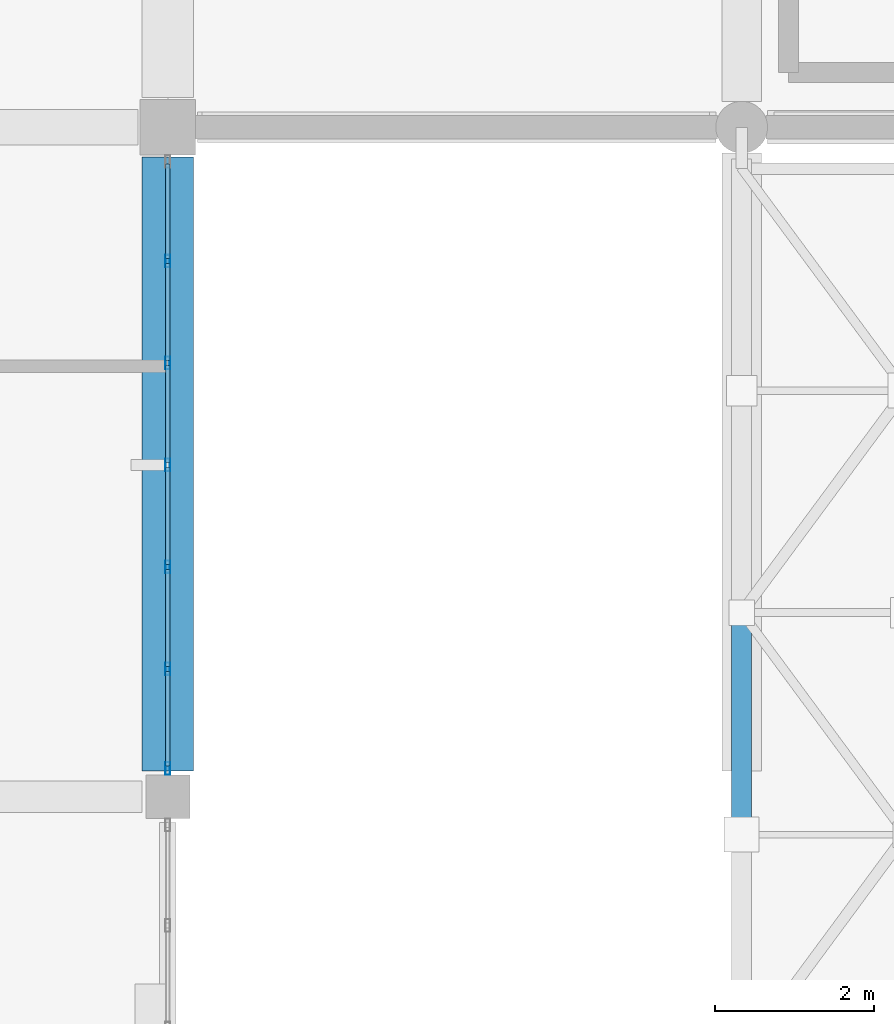
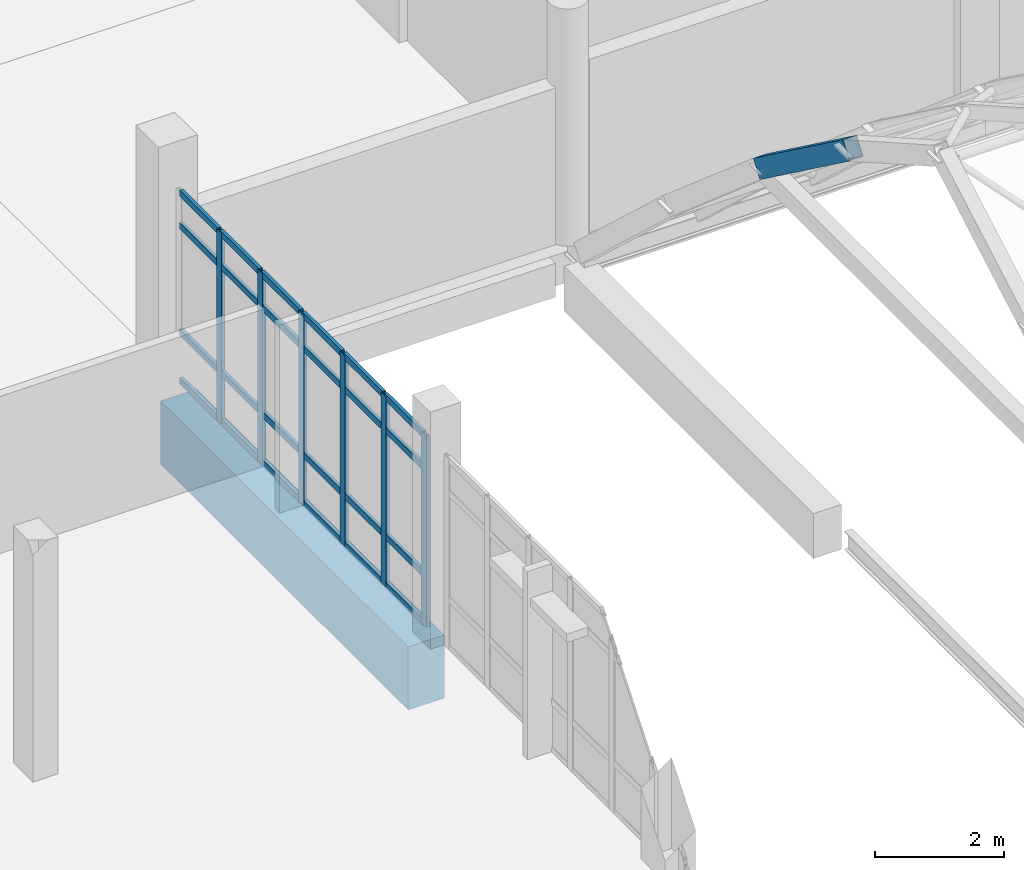
# One storey, part 31 of 87: 31 members, 1 beam, 1 element without a shape of its own.
"""IFC4 building model written with IfcOpenShell, lengths in metres."""

from ifc_helpers import new_model, si_unit, direction, frame, origin, origin_2d, place, context, subcontext, project, spatial, rectangle, hollow_rectangle, extrude, material, material_profile, profile_set, type_object, element, aggregate, save


model = new_model("IFC4")

# Units and contexts
model_context = context("Model", 3, precision=1e-05, world=origin(), true_north=direction((0.0, 1.0)))
body_context = subcontext(model_context, "Body", "Model", "MODEL_VIEW")
ifc_project = project(units=[si_unit("LENGTHUNIT", "METRE"), si_unit("AREAUNIT", "SQUARE_METRE"), si_unit("VOLUMEUNIT", "CUBIC_METRE"), si_unit("PLANEANGLEUNIT", "RADIAN"), si_unit("MASSUNIT", "GRAM", prefix="KILO")], contexts=[model_context])

# Site, building, storey
site_placement = place(None, origin())
site = spatial("IfcSite", under=ifc_project, at=site_placement, CompositionType="ELEMENT")
building_placement = place(site_placement, origin())
building = spatial("IfcBuilding", under=site, at=building_placement, Name="Kalluvel Institute of Natural Sciences", CompositionType="ELEMENT")
storey_placement = place(building_placement, frame((0.0, 0.0, 18.89990234375)))
storey = spatial("IfcBuildingStorey", under=building, at=storey_placement, Name="L04", CompositionType="ELEMENT", Elevation=18.89990234375)

# Beam
ifc_material_1 = material(Name="Concrete M50", Category="concrete")
ifc_material_profile_1 = material_profile(ifc_material_1, rectangle(XDim=0.64990234375, YDim=1.199951171875, at=origin_2d()), Name="RCB 650x1200")
ifc_profile_set_1 = profile_set([ifc_material_profile_1], Name="Concrete M50")
beam_type = type_object("IfcBeamType", Name="BM-RC650x1200", PredefinedType="BEAM", material=ifc_profile_set_1)
beam_placement = place(storey_placement, frame((35.60009765625, 86.324951171875, -0.89990234375), z_axis=(0.0, 1.0, 0.0), x_axis=(-1.0, 0.0, 0.0)))
element("IfcBeam", 1, at=beam_placement, inside=storey, type_object=beam_type, Name="L04 girder GIR-L04-NS-X356-Y860", PredefinedType="BEAM", context=body_context, shape_type="SweptSolid", body=[
    extrude(rectangle(XDim=0.64990234375, YDim=1.199951171875, at=origin_2d()), origin(), (0.0, 0.0, 1.0), 7.699951171875),
])

# Curtain wall, members
ifc_material_2 = material(Name="Aluminium AW-6063 T6", Category="aluminium")
curtain_wall_type = type_object("IfcCurtainWallType", Name="CW-DRY-45", PredefinedType="USERDEFINED", material=ifc_material_2)
curtain_wall_placement = place(storey_placement, origin())
curtain_wall = element("IfcCurtainWall", 2, at=curtain_wall_placement, inside=storey, type_object=curtain_wall_type, Name="L04 Gothic lancet curtain wall CWA-L04-X356-Y863", ObjectType="UNITISED LANCET FACADE", PredefinedType="USERDEFINED")
ifc_material_profile_2 = material_profile(ifc_material_2, hollow_rectangle(XDim=0.06005859375, YDim=0.159912109375, WallThickness=0.00390625, at=origin_2d()), Name="CWM 60x160")
ifc_profile_set_2 = profile_set([ifc_material_profile_2], Name="Aluminium AW-6063 T6")
member_type_1 = type_object("IfcMemberType", Name="CWM-60x160", PredefinedType="MULLION", material=ifc_profile_set_2)
member_1_placement = place(storey_placement, frame((35.60009765625, 86.35498046875, 0.0), z_axis=(0.0, 0.0, 1.0), x_axis=(-1.0, 0.0, 0.0)))
member_1 = element("IfcMember", 3, at=member_1_placement, type_object=member_type_1, Name="CW-03 mullion 1", PredefinedType="MULLION", context=body_context, shape_type="SweptSolid", body=[
    extrude(hollow_rectangle(XDim=0.06005859375, YDim=0.159912109375, WallThickness=0.00390625, at=origin_2d()), origin(), (0.0, 0.0, 1.0), 3.6201171875),
])
member_2_placement = place(storey_placement, frame((35.60009765625, 87.604248046875, 0.0), z_axis=(0.0, 0.0, 1.0), x_axis=(-1.0, 0.0, 0.0)))
member_2 = element("IfcMember", 4, at=member_2_placement, type_object=member_type_1, Name="CW-03 mullion 2", PredefinedType="MULLION", context=body_context, shape_type="SweptSolid", body=[
    extrude(hollow_rectangle(XDim=0.06005859375, YDim=0.159912109375, WallThickness=0.00390625, at=origin_2d()), origin(), (0.0, 0.0, 1.0), 3.6201171875),
])
member_3_placement = place(storey_placement, frame((35.60009765625, 88.88330078125, 0.0), z_axis=(0.0, 0.0, 1.0), x_axis=(-1.0, 0.0, 0.0)))
member_3 = element("IfcMember", 5, at=member_3_placement, type_object=member_type_1, Name="CW-03 mullion 3", PredefinedType="MULLION", context=body_context, shape_type="SweptSolid", body=[
    extrude(hollow_rectangle(XDim=0.06005859375, YDim=0.159912109375, WallThickness=0.00390625, at=origin_2d()), origin(), (0.0, 0.0, 1.0), 3.6201171875),
])
member_4_placement = place(storey_placement, frame((35.60009765625, 90.16259765625, 0.0), z_axis=(0.0, 0.0, 1.0), x_axis=(-1.0, 0.0, 0.0)))
member_4 = element("IfcMember", 6, at=member_4_placement, type_object=member_type_1, Name="CW-03 mullion 4", PredefinedType="MULLION", context=body_context, shape_type="SweptSolid", body=[
    extrude(hollow_rectangle(XDim=0.06005859375, YDim=0.159912109375, WallThickness=0.00390625, at=origin_2d()), origin(), (0.0, 0.0, 1.0), 3.6201171875),
])
member_5_placement = place(storey_placement, frame((35.60009765625, 91.441650390625, 0.0), z_axis=(0.0, 0.0, 1.0), x_axis=(-1.0, 0.0, 0.0)))
member_5 = element("IfcMember", 7, at=member_5_placement, type_object=member_type_1, Name="CW-03 mullion 5", PredefinedType="MULLION", context=body_context, shape_type="SweptSolid", body=[
    extrude(hollow_rectangle(XDim=0.06005859375, YDim=0.159912109375, WallThickness=0.00390625, at=origin_2d()), origin(), (0.0, 0.0, 1.0), 3.6201171875),
])
member_6_placement = place(storey_placement, frame((35.60009765625, 92.720947265625, 0.0), z_axis=(0.0, 0.0, 1.0), x_axis=(-1.0, 0.0, 0.0)))
member_6 = element("IfcMember", 8, at=member_6_placement, type_object=member_type_1, Name="CW-03 mullion 6", PredefinedType="MULLION", context=body_context, shape_type="SweptSolid", body=[
    extrude(hollow_rectangle(XDim=0.06005859375, YDim=0.159912109375, WallThickness=0.00390625, at=origin_2d()), origin(), (0.0, 0.0, 1.0), 3.6201171875),
])
ifc_material_profile_3 = material_profile(ifc_material_2, hollow_rectangle(XDim=0.06005859375, YDim=0.1201171875, WallThickness=0.00390625, at=origin_2d()), Name="CWT 60x120")
ifc_profile_set_3 = profile_set([ifc_material_profile_3], Name="Aluminium AW-6063 T6")
member_type_2 = type_object("IfcMemberType", Name="CWT-60x120", PredefinedType="USERDEFINED", material=ifc_profile_set_3)
member_7_placement = place(storey_placement, frame((35.60009765625, 86.385009765625, 0.030029296875), z_axis=(0.0, 1.0, 0.0), x_axis=(-1.0, 0.0, 0.0)))
member_7 = element("IfcMember", 9, at=member_7_placement, type_object=member_type_2, Name="CW-03 transom 1.1", ObjectType="TRANSOM", PredefinedType="USERDEFINED", context=body_context, shape_type="SweptSolid", body=[
    extrude(hollow_rectangle(XDim=0.06005859375, YDim=0.1201171875, WallThickness=0.00390625, at=origin_2d()), origin(), (0.0, 0.0, 1.0), 1.189208984375),
])
member_8_placement = place(storey_placement, frame((35.60009765625, 86.385009765625, 0.9501953125), z_axis=(0.0, 1.0, 0.0), x_axis=(-1.0, 0.0, 0.0)))
member_8 = element("IfcMember", 10, at=member_8_placement, type_object=member_type_2, Name="CW-03 transom 1.2", ObjectType="TRANSOM", PredefinedType="USERDEFINED", context=body_context, shape_type="SweptSolid", body=[
    extrude(hollow_rectangle(XDim=0.06005859375, YDim=0.1201171875, WallThickness=0.00390625, at=origin_2d()), origin(), (0.0, 0.0, 1.0), 1.189208984375),
])
member_9_placement = place(storey_placement, frame((35.60009765625, 86.385009765625, 2.97021484375), z_axis=(0.0, 1.0, 0.0), x_axis=(-1.0, 0.0, 0.0)))
member_9 = element("IfcMember", 11, at=member_9_placement, type_object=member_type_2, Name="CW-03 transom 1.3", ObjectType="TRANSOM", PredefinedType="USERDEFINED", context=body_context, shape_type="SweptSolid", body=[
    extrude(hollow_rectangle(XDim=0.06005859375, YDim=0.1201171875, WallThickness=0.00390625, at=origin_2d()), origin(), (0.0, 0.0, 1.0), 1.189208984375),
])
member_10_placement = place(storey_placement, frame((35.60009765625, 86.385009765625, 3.590087890625), z_axis=(0.0, 1.0, 0.0), x_axis=(-1.0, 0.0, 0.0)))
member_10 = element("IfcMember", 12, at=member_10_placement, type_object=member_type_2, Name="CW-03 transom 1.4", ObjectType="TRANSOM", PredefinedType="USERDEFINED", context=body_context, shape_type="SweptSolid", body=[
    extrude(hollow_rectangle(XDim=0.06005859375, YDim=0.1201171875, WallThickness=0.00390625, at=origin_2d()), origin(), (0.0, 0.0, 1.0), 1.189208984375),
])
member_11_placement = place(storey_placement, frame((35.60009765625, 87.63427734375, 0.030029296875), z_axis=(0.0, 1.0, 0.0), x_axis=(-1.0, 0.0, 0.0)))
member_11 = element("IfcMember", 13, at=member_11_placement, type_object=member_type_2, Name="CW-03 transom 2.1", ObjectType="TRANSOM", PredefinedType="USERDEFINED", context=body_context, shape_type="SweptSolid", body=[
    extrude(hollow_rectangle(XDim=0.06005859375, YDim=0.1201171875, WallThickness=0.00390625, at=origin_2d()), origin(), (0.0, 0.0, 1.0), 1.218994140625),
])
member_12_placement = place(storey_placement, frame((35.60009765625, 87.63427734375, 0.9501953125), z_axis=(0.0, 1.0, 0.0), x_axis=(-1.0, 0.0, 0.0)))
member_12 = element("IfcMember", 14, at=member_12_placement, type_object=member_type_2, Name="CW-03 transom 2.2", ObjectType="TRANSOM", PredefinedType="USERDEFINED", context=body_context, shape_type="SweptSolid", body=[
    extrude(hollow_rectangle(XDim=0.06005859375, YDim=0.1201171875, WallThickness=0.00390625, at=origin_2d()), origin(), (0.0, 0.0, 1.0), 1.218994140625),
])
member_13_placement = place(storey_placement, frame((35.60009765625, 87.63427734375, 2.97021484375), z_axis=(0.0, 1.0, 0.0), x_axis=(-1.0, 0.0, 0.0)))
member_13 = element("IfcMember", 15, at=member_13_placement, type_object=member_type_2, Name="CW-03 transom 2.3", ObjectType="TRANSOM", PredefinedType="USERDEFINED", context=body_context, shape_type="SweptSolid", body=[
    extrude(hollow_rectangle(XDim=0.06005859375, YDim=0.1201171875, WallThickness=0.00390625, at=origin_2d()), origin(), (0.0, 0.0, 1.0), 1.218994140625),
])
member_14_placement = place(storey_placement, frame((35.60009765625, 87.63427734375, 3.590087890625), z_axis=(0.0, 1.0, 0.0), x_axis=(-1.0, 0.0, 0.0)))
member_14 = element("IfcMember", 16, at=member_14_placement, type_object=member_type_2, Name="CW-03 transom 2.4", ObjectType="TRANSOM", PredefinedType="USERDEFINED", context=body_context, shape_type="SweptSolid", body=[
    extrude(hollow_rectangle(XDim=0.06005859375, YDim=0.1201171875, WallThickness=0.00390625, at=origin_2d()), origin(), (0.0, 0.0, 1.0), 1.218994140625),
])
member_15_placement = place(storey_placement, frame((35.60009765625, 88.913330078125, 0.030029296875), z_axis=(0.0, 1.0, 0.0), x_axis=(-1.0, 0.0, 0.0)))
member_15 = element("IfcMember", 17, at=member_15_placement, type_object=member_type_2, Name="CW-03 transom 3.1", ObjectType="TRANSOM", PredefinedType="USERDEFINED", context=body_context, shape_type="SweptSolid", body=[
    extrude(hollow_rectangle(XDim=0.06005859375, YDim=0.1201171875, WallThickness=0.00390625, at=origin_2d()), origin(), (0.0, 0.0, 1.0), 1.21923828125),
])
member_16_placement = place(storey_placement, frame((35.60009765625, 88.913330078125, 0.9501953125), z_axis=(0.0, 1.0, 0.0), x_axis=(-1.0, 0.0, 0.0)))
member_16 = element("IfcMember", 18, at=member_16_placement, type_object=member_type_2, Name="CW-03 transom 3.2", ObjectType="TRANSOM", PredefinedType="USERDEFINED", context=body_context, shape_type="SweptSolid", body=[
    extrude(hollow_rectangle(XDim=0.06005859375, YDim=0.1201171875, WallThickness=0.00390625, at=origin_2d()), origin(), (0.0, 0.0, 1.0), 1.21923828125),
])
member_17_placement = place(storey_placement, frame((35.60009765625, 88.913330078125, 2.97021484375), z_axis=(0.0, 1.0, 0.0), x_axis=(-1.0, 0.0, 0.0)))
member_17 = element("IfcMember", 19, at=member_17_placement, type_object=member_type_2, Name="CW-03 transom 3.3", ObjectType="TRANSOM", PredefinedType="USERDEFINED", context=body_context, shape_type="SweptSolid", body=[
    extrude(hollow_rectangle(XDim=0.06005859375, YDim=0.1201171875, WallThickness=0.00390625, at=origin_2d()), origin(), (0.0, 0.0, 1.0), 1.21923828125),
])
member_18_placement = place(storey_placement, frame((35.60009765625, 88.913330078125, 3.590087890625), z_axis=(0.0, 1.0, 0.0), x_axis=(-1.0, 0.0, 0.0)))
member_18 = element("IfcMember", 20, at=member_18_placement, type_object=member_type_2, Name="CW-03 transom 3.4", ObjectType="TRANSOM", PredefinedType="USERDEFINED", context=body_context, shape_type="SweptSolid", body=[
    extrude(hollow_rectangle(XDim=0.06005859375, YDim=0.1201171875, WallThickness=0.00390625, at=origin_2d()), origin(), (0.0, 0.0, 1.0), 1.21923828125),
])
member_19_placement = place(storey_placement, frame((35.60009765625, 90.1923828125, 0.030029296875), z_axis=(0.0, 1.0, 0.0), x_axis=(-1.0, 0.0, 0.0)))
member_19 = element("IfcMember", 21, at=member_19_placement, type_object=member_type_2, Name="CW-03 transom 4.1", ObjectType="TRANSOM", PredefinedType="USERDEFINED", context=body_context, shape_type="SweptSolid", body=[
    extrude(hollow_rectangle(XDim=0.06005859375, YDim=0.1201171875, WallThickness=0.00390625, at=origin_2d()), origin(), (0.0, 0.0, 1.0), 1.21923828125),
])
member_20_placement = place(storey_placement, frame((35.60009765625, 90.1923828125, 0.9501953125), z_axis=(0.0, 1.0, 0.0), x_axis=(-1.0, 0.0, 0.0)))
member_20 = element("IfcMember", 22, at=member_20_placement, type_object=member_type_2, Name="CW-03 transom 4.2", ObjectType="TRANSOM", PredefinedType="USERDEFINED", context=body_context, shape_type="SweptSolid", body=[
    extrude(hollow_rectangle(XDim=0.06005859375, YDim=0.1201171875, WallThickness=0.00390625, at=origin_2d()), origin(), (0.0, 0.0, 1.0), 1.21923828125),
])
member_21_placement = place(storey_placement, frame((35.60009765625, 90.1923828125, 2.97021484375), z_axis=(0.0, 1.0, 0.0), x_axis=(-1.0, 0.0, 0.0)))
member_21 = element("IfcMember", 23, at=member_21_placement, type_object=member_type_2, Name="CW-03 transom 4.3", ObjectType="TRANSOM", PredefinedType="USERDEFINED", context=body_context, shape_type="SweptSolid", body=[
    extrude(hollow_rectangle(XDim=0.06005859375, YDim=0.1201171875, WallThickness=0.00390625, at=origin_2d()), origin(), (0.0, 0.0, 1.0), 1.21923828125),
])
member_22_placement = place(storey_placement, frame((35.60009765625, 90.1923828125, 3.590087890625), z_axis=(0.0, 1.0, 0.0), x_axis=(-1.0, 0.0, 0.0)))
member_22 = element("IfcMember", 24, at=member_22_placement, type_object=member_type_2, Name="CW-03 transom 4.4", ObjectType="TRANSOM", PredefinedType="USERDEFINED", context=body_context, shape_type="SweptSolid", body=[
    extrude(hollow_rectangle(XDim=0.06005859375, YDim=0.1201171875, WallThickness=0.00390625, at=origin_2d()), origin(), (0.0, 0.0, 1.0), 1.21923828125),
])
member_23_placement = place(storey_placement, frame((35.60009765625, 91.4716796875, 0.030029296875), z_axis=(0.0, 1.0, 0.0), x_axis=(-1.0, 0.0, 0.0)))
member_23 = element("IfcMember", 25, at=member_23_placement, type_object=member_type_2, Name="CW-03 transom 5.1", ObjectType="TRANSOM", PredefinedType="USERDEFINED", context=body_context, shape_type="SweptSolid", body=[
    extrude(hollow_rectangle(XDim=0.06005859375, YDim=0.1201171875, WallThickness=0.00390625, at=origin_2d()), origin(), (0.0, 0.0, 1.0), 1.21923828125),
])
member_24_placement = place(storey_placement, frame((35.60009765625, 91.4716796875, 0.9501953125), z_axis=(0.0, 1.0, 0.0), x_axis=(-1.0, 0.0, 0.0)))
member_24 = element("IfcMember", 26, at=member_24_placement, type_object=member_type_2, Name="CW-03 transom 5.2", ObjectType="TRANSOM", PredefinedType="USERDEFINED", context=body_context, shape_type="SweptSolid", body=[
    extrude(hollow_rectangle(XDim=0.06005859375, YDim=0.1201171875, WallThickness=0.00390625, at=origin_2d()), origin(), (0.0, 0.0, 1.0), 1.21923828125),
])
member_25_placement = place(storey_placement, frame((35.60009765625, 91.4716796875, 2.97021484375), z_axis=(0.0, 1.0, 0.0), x_axis=(-1.0, 0.0, 0.0)))
member_25 = element("IfcMember", 27, at=member_25_placement, type_object=member_type_2, Name="CW-03 transom 5.3", ObjectType="TRANSOM", PredefinedType="USERDEFINED", context=body_context, shape_type="SweptSolid", body=[
    extrude(hollow_rectangle(XDim=0.06005859375, YDim=0.1201171875, WallThickness=0.00390625, at=origin_2d()), origin(), (0.0, 0.0, 1.0), 1.21923828125),
])
member_26_placement = place(storey_placement, frame((35.60009765625, 91.4716796875, 3.590087890625), z_axis=(0.0, 1.0, 0.0), x_axis=(-1.0, 0.0, 0.0)))
member_26 = element("IfcMember", 28, at=member_26_placement, type_object=member_type_2, Name="CW-03 transom 5.4", ObjectType="TRANSOM", PredefinedType="USERDEFINED", context=body_context, shape_type="SweptSolid", body=[
    extrude(hollow_rectangle(XDim=0.06005859375, YDim=0.1201171875, WallThickness=0.00390625, at=origin_2d()), origin(), (0.0, 0.0, 1.0), 1.21923828125),
])
member_27_placement = place(storey_placement, frame((35.60009765625, 92.750732421875, 0.030029296875), z_axis=(0.0, 1.0, 0.0), x_axis=(-1.0, 0.0, 0.0)))
member_27 = element("IfcMember", 29, at=member_27_placement, type_object=member_type_2, Name="CW-03 transom 6.1", ObjectType="TRANSOM", PredefinedType="USERDEFINED", context=body_context, shape_type="SweptSolid", body=[
    extrude(hollow_rectangle(XDim=0.06005859375, YDim=0.1201171875, WallThickness=0.00390625, at=origin_2d()), origin(), (0.0, 0.0, 1.0), 1.189208984375),
])
member_28_placement = place(storey_placement, frame((35.60009765625, 92.750732421875, 0.9501953125), z_axis=(0.0, 1.0, 0.0), x_axis=(-1.0, 0.0, 0.0)))
member_28 = element("IfcMember", 30, at=member_28_placement, type_object=member_type_2, Name="CW-03 transom 6.2", ObjectType="TRANSOM", PredefinedType="USERDEFINED", context=body_context, shape_type="SweptSolid", body=[
    extrude(hollow_rectangle(XDim=0.06005859375, YDim=0.1201171875, WallThickness=0.00390625, at=origin_2d()), origin(), (0.0, 0.0, 1.0), 1.189208984375),
])
member_29_placement = place(storey_placement, frame((35.60009765625, 92.750732421875, 2.97021484375), z_axis=(0.0, 1.0, 0.0), x_axis=(-1.0, 0.0, 0.0)))
member_29 = element("IfcMember", 31, at=member_29_placement, type_object=member_type_2, Name="CW-03 transom 6.3", ObjectType="TRANSOM", PredefinedType="USERDEFINED", context=body_context, shape_type="SweptSolid", body=[
    extrude(hollow_rectangle(XDim=0.06005859375, YDim=0.1201171875, WallThickness=0.00390625, at=origin_2d()), origin(), (0.0, 0.0, 1.0), 1.189208984375),
])
member_30_placement = place(storey_placement, frame((35.60009765625, 92.750732421875, 3.590087890625), z_axis=(0.0, 1.0, 0.0), x_axis=(-1.0, 0.0, 0.0)))
member_30 = element("IfcMember", 32, at=member_30_placement, type_object=member_type_2, Name="CW-03 transom 6.4", ObjectType="TRANSOM", PredefinedType="USERDEFINED", context=body_context, shape_type="SweptSolid", body=[
    extrude(hollow_rectangle(XDim=0.06005859375, YDim=0.1201171875, WallThickness=0.00390625, at=origin_2d()), origin(), (0.0, 0.0, 1.0), 1.189208984375),
])
aggregate(curtain_wall, [member_1, member_2, member_3, member_4, member_5, member_6, member_7, member_8, member_9, member_10, member_11, member_12, member_13, member_14, member_15, member_16, member_17, member_18, member_19, member_20, member_21, member_22, member_23, member_24, member_25, member_26, member_27, member_28, member_29, member_30])

# Member
ifc_material_3 = material(Name="Steel E350 Grade 350", Category="steel")
ifc_material_profile_4 = material_profile(ifc_material_3, hollow_rectangle(XDim=0.25, YDim=0.35009765625, WallThickness=0.012451171875, at=origin_2d()), Name="RHS 350x250x12")
ifc_profile_set_4 = profile_set([ifc_material_profile_4], Name="Steel E350 Grade 350")
member_type_3 = type_object("IfcMemberType", Name="MB-ARCH-SEG350", PredefinedType="USERDEFINED", material=ifc_profile_set_4)
member_31_placement = place(storey_placement, frame((42.800048828125, 85.52490234375, 7.018310546875), z_axis=(0.0, 0.806535340499, -0.591185879843), x_axis=(-1.0, 0.0, 0.0)))
element("IfcMember", 33, at=member_31_placement, inside=storey, type_object=member_type_3, Name="Atrium gridshell pointed arch segment 6", ObjectType="ARCH_SEGMENT", PredefinedType="USERDEFINED", context=body_context, shape_type="SweptSolid", body=[
    extrude(hollow_rectangle(XDim=0.25, YDim=0.35009765625, WallThickness=0.012451171875, at=origin_2d()), origin(), (0.0, 0.0, 1.0), 3.453125),
])

save(model, "model.ifc")
